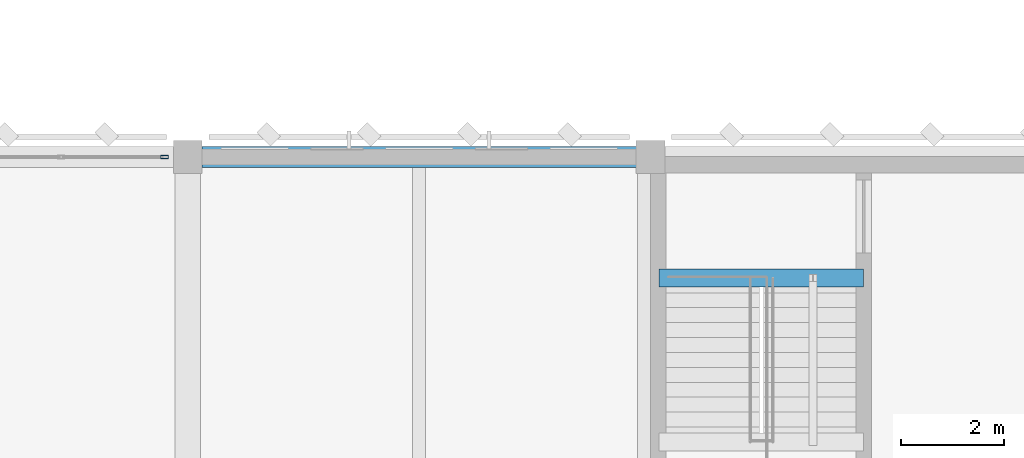
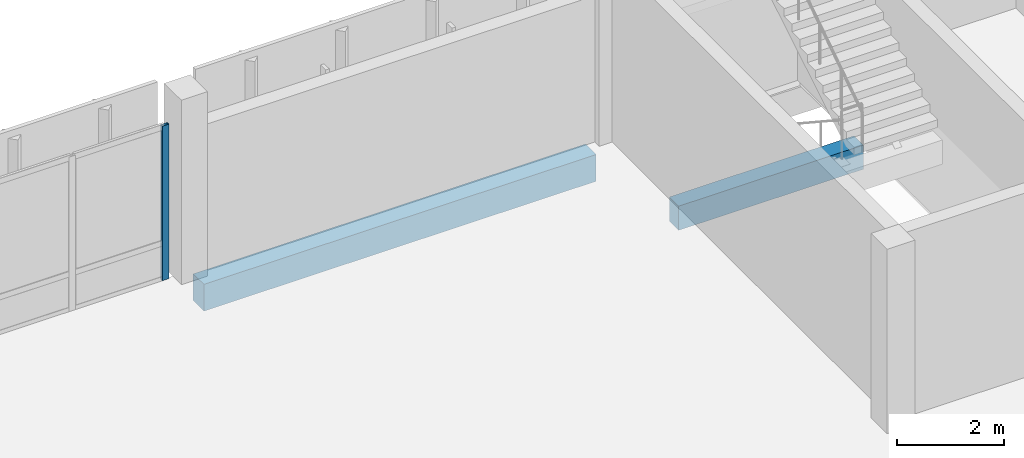
# One storey, part 69 of 158: 2 beams, 1 member, 1 element without a shape of its own.
"""IFC4 building model written with IfcOpenShell, lengths in metres."""

import ifcopenshell
import ifcopenshell.guid

model = None  # the IFC model being written
_history = None  # IfcOwnerHistory: only IFC2X3 demands one
_inside = {}  # id of a spatial element -> (the spatial element, [elements in it])
_under = {}  # id of a project, library or spatial element -> (it, [spatial elements below it])
_declared = {}  # id of a project -> (the project, [libraries it declares])
_typed = {}  # id of a type object -> (the type object, [elements of that type])
_made_of = {}  # id of a material, layer set ... -> (it, [elements and type objects made of it])


def new_model(schema):
    """Start an empty IFC model of exactly this schema.

    Asked for "IFC4X3", IfcOpenShell would pick the latest addendum, in which some entities
    have other attributes; the version numbers below select the first issue.
    IFC2X3 requires an IfcOwnerHistory on every rooted entity: one is made here for all.
    """
    global model, _history
    if schema == "IFC4X3":
        model = ifcopenshell.file(schema_version=(4, 3, 0, 0))
    else:
        model = ifcopenshell.file(schema=schema)
    _inside.clear()
    _under.clear()
    _declared.clear()
    _typed.clear()
    _made_of.clear()
    _history = None
    if model.schema == "IFC2X3":
        org = make("IfcOrganization", Name="unknown")
        user = make(
            "IfcPersonAndOrganization",
            ThePerson=make("IfcPerson", FamilyName="unknown"),
            TheOrganization=org,
        )
        app = make(
            "IfcApplication",
            ApplicationDeveloper=org,
            Version="unknown",
            ApplicationFullName="unknown",
            ApplicationIdentifier="unknown",
        )
        _history = make(
            "IfcOwnerHistory",
            OwningUser=user,
            OwningApplication=app,
            ChangeAction="ADDED",
            CreationDate=0,
        )
    return model


def make(cls, **values):
    """One entity of the class cls with the attributes given. An attribute that is None is left unset."""
    return model.create_entity(
        cls, **{name: value for name, value in values.items() if value is not None}
    )


def rooted(cls, **values):
    """An entity with a GlobalId (a new one), such as an element, a storey or a relation."""
    return make(cls, GlobalId=ifcopenshell.guid.new(), OwnerHistory=_history, **values)


def si_unit(unit_type, name, prefix=None):
    """IfcSIUnit, for example si_unit("LENGTHUNIT", "METRE", prefix="MILLI")."""
    return make("IfcSIUnit", UnitType=unit_type, Prefix=prefix, Name=name)


def assignment(units):
    """IfcUnitAssignment: the units of a project."""
    return None if units is None else make("IfcUnitAssignment", Units=units)


def point(xyz):
    """IfcCartesianPoint."""
    return None if xyz is None else make("IfcCartesianPoint", Coordinates=xyz)


def direction(xyz):
    """IfcDirection."""
    return None if xyz is None else make("IfcDirection", DirectionRatios=xyz)


def frame(location, z_axis=None, x_axis=None):
    """IfcAxis2Placement3D, a coordinate frame: its origin and axes. An axis left out is left unset."""
    return make(
        "IfcAxis2Placement3D",
        Location=point(location),
        Axis=direction(z_axis),
        RefDirection=direction(x_axis),
    )


def frame_2d(location, x_axis=None):
    """IfcAxis2Placement2D, a coordinate frame in the plane: its origin and x axis."""
    return make(
        "IfcAxis2Placement2D", Location=point(location), RefDirection=direction(x_axis)
    )


def origin():
    """The frame at (0, 0, 0) with its axes left unset."""
    return frame((0.0, 0.0, 0.0))


def origin_2d():
    """The frame at (0, 0) in the plane with its x axis left unset."""
    return frame_2d((0.0, 0.0))


def place(relative_to, where):
    """IfcLocalPlacement: puts the frame where relative to a parent placement (None: the world)."""
    return make(
        "IfcLocalPlacement", PlacementRelTo=relative_to, RelativePlacement=where
    )


def context(
    kind, dimensions, precision=None, world=None, true_north=None, identifier=None
):
    """IfcGeometricRepresentationContext, for example the 3D "Model" context."""
    return make(
        "IfcGeometricRepresentationContext",
        ContextIdentifier=identifier,
        ContextType=kind,
        CoordinateSpaceDimension=dimensions,
        Precision=precision,
        WorldCoordinateSystem=world,
        TrueNorth=true_north,
    )


def subcontext(parent, identifier, kind, view, scale=None):
    """IfcGeometricRepresentationSubContext, for example "Body" below "Model"."""
    return make(
        "IfcGeometricRepresentationSubContext",
        ContextIdentifier=identifier,
        ContextType=kind,
        ParentContext=parent,
        TargetScale=scale,
        TargetView=view,
    )


def project(units=None, contexts=None):
    """IfcProject with its units and contexts."""
    return rooted(
        "IfcProject",
        Name="project",
        RepresentationContexts=contexts,
        UnitsInContext=assignment(units),
    )


def spatial(cls, under=None, at=None, **own):
    """A site, building, storey or space (cls), placed at a placement, below another one or the project."""
    s = rooted(cls, ObjectPlacement=at, **own)
    if under is not None:
        _under.setdefault(under.id(), (under, []))[1].append(s)
    return s


def profile(cls, at=None, kind="AREA", **sizes):
    """A parametric profile (cls). Its sizes go by their IFC names, for example OverallWidth=200.0."""
    return make(cls, ProfileType=kind, Position=at, **sizes)


def rectangle(**sizes):
    """IfcRectangleProfileDef."""
    return profile("IfcRectangleProfileDef", **sizes)


def hollow_rectangle(**sizes):
    """IfcRectangleHollowProfileDef."""
    return profile("IfcRectangleHollowProfileDef", **sizes)


def extrude(swept, where, along, depth):
    """IfcExtrudedAreaSolid: the profile swept, set in the frame where, extruded along a direction by depth."""
    return make(
        "IfcExtrudedAreaSolid",
        SweptArea=swept,
        Position=where,
        ExtrudedDirection=direction(along),
        Depth=depth,
    )


def shape(context_of_items, identifier, shape_type, items):
    """IfcShapeRepresentation: the items that make up one representation, for example the "Body"."""
    return make(
        "IfcShapeRepresentation",
        ContextOfItems=context_of_items,
        RepresentationIdentifier=identifier,
        RepresentationType=shape_type,
        Items=items,
    )


def material(Name=None, Category=None):
    """IfcMaterial."""
    return make("IfcMaterial", Name=Name, Category=Category)


def material_profile(
    of_material, cross_section, Name=None, Category=None, Priority=None
):
    """IfcMaterialProfile: a cross section and its material."""
    return make(
        "IfcMaterialProfile",
        Name=Name,
        Material=of_material,
        Profile=cross_section,
        Priority=Priority,
        Category=Category,
    )


def profile_set(profiles, Name=None, composite=None):
    """IfcMaterialProfileSet."""
    return make(
        "IfcMaterialProfileSet",
        Name=Name,
        MaterialProfiles=profiles,
        CompositeProfile=composite,
    )


def made_of(thing, what):
    """Note that an element or type object is made of a material, layer set ...; save() writes the relation."""
    if what is not None:
        _made_of.setdefault(what.id(), (what, []))[1].append(thing)
    return thing


def type_object(cls, material=None, **own):
    """A type object (cls), such as IfcWallType, which elements share."""
    return made_of(rooted(cls, **own), material)


def element(
    cls,
    number,
    at=None,
    inside=None,
    cuts=None,
    type_object=None,
    material=None,
    context=None,
    identifier="Body",
    shape_type=None,
    held_by="IfcProductDefinitionShape",
    body=None,
    shapes=None,
    **own,
):
    """One element of the class cls, such as IfcWall. Its Tag is "e" and its number.

    at: its placement. inside: the storey or other place that contains it. cuts: it is an
    opening in that element (IfcRelVoidsElement). A single representation is given by context,
    identifier, shape_type and body (its items); several are given by shapes. held_by: the class
    of the entity that holds the representations. save() writes the other relations.
    """
    e = rooted(cls, Tag="e%d" % number, ObjectPlacement=at, **own)
    if body is not None:
        shapes = [shape(context, identifier, shape_type, body)]
    if shapes is not None:
        e.Representation = make(held_by, Representations=shapes)
    if inside is not None:
        _inside.setdefault(inside.id(), (inside, []))[1].append(e)
    if cuts is not None:
        rooted(
            "IfcRelVoidsElement", RelatingBuildingElement=cuts, RelatedOpeningElement=e
        )
    if type_object is not None:
        _typed.setdefault(type_object.id(), (type_object, []))[1].append(e)
    return made_of(e, material)


def aggregate(whole, parts):
    """IfcRelAggregates: a whole, such as a stair, and the parts it consists of."""
    return rooted("IfcRelAggregates", RelatingObject=whole, RelatedObjects=parts)


def save(model, path):
    """Write the relations noted so far, then the file.

    IfcRelAggregates (storeys below a building ...), IfcRelContainedInSpatialStructure (elements
    in a storey), IfcRelDefinesByType, IfcRelAssociatesMaterial and IfcRelDeclares: one each for
    every whole, place, type object, material and project.
    """
    for whole, parts in _under.values():
        aggregate(whole, parts)
    for where, things in _inside.values():
        rooted(
            "IfcRelContainedInSpatialStructure",
            RelatedElements=things,
            RelatingStructure=where,
        )
    for kind, things in _typed.values():
        rooted("IfcRelDefinesByType", RelatedObjects=things, RelatingType=kind)
    for what, things in _made_of.values():
        rooted("IfcRelAssociatesMaterial", RelatedObjects=things, RelatingMaterial=what)
    for by, libraries in _declared.values():
        rooted("IfcRelDeclares", RelatingContext=by, RelatedDefinitions=libraries)
    model.write(path)


model = new_model("IFC4")

# Units and contexts
model_context = context("Model", 3, precision=1e-05, world=origin(), true_north=direction((0.0, 1.0)))
body_context = subcontext(model_context, "Body", "Model", "MODEL_VIEW")
ifc_project = project(units=[si_unit("LENGTHUNIT", "METRE"), si_unit("AREAUNIT", "SQUARE_METRE"), si_unit("VOLUMEUNIT", "CUBIC_METRE"), si_unit("PLANEANGLEUNIT", "RADIAN"), si_unit("MASSUNIT", "GRAM", prefix="KILO")], contexts=[model_context])

# Site, building, storey
site_placement = place(None, origin())
site = spatial("IfcSite", under=ifc_project, at=site_placement, CompositionType="ELEMENT")
building_placement = place(site_placement, origin())
building = spatial("IfcBuilding", under=site, at=building_placement, Name="Lusvemor Sports Hall", CompositionType="ELEMENT")
storey_placement = place(building_placement, frame((0.0, 0.0, 10.800048828125)))
storey = spatial("IfcBuildingStorey", under=building, at=storey_placement, Name="L02", CompositionType="ELEMENT", Elevation=10.800048828125)

# Beam
ifc_material_1 = material(Name="Concrete C40/50", Category="concrete")
ifc_material_profile_1 = material_profile(ifc_material_1, rectangle(XDim=0.35009765625, YDim=0.550048828125, at=origin_2d()), Name="RC350x550")
ifc_profile_set_1 = profile_set([ifc_material_profile_1], Name="Concrete C40/50")
beam_type_1 = type_object("IfcBeamType", Name="BEAM_RC_550", PredefinedType="BEAM", material=ifc_profile_set_1)
beam_1_placement = place(storey_placement, frame((102.760009765625, 112.85009765625, -0.455078125), z_axis=(1.0, 0.0, 0.0), x_axis=(0.0, 1.0, 0.0)))
element("IfcBeam", 1, at=beam_1_placement, inside=storey, type_object=beam_type_1, Name="Stair STR-C4-L01 Top-Landing Beam", PredefinedType="BEAM", context=body_context, shape_type="SweptSolid", body=[
    extrude(rectangle(XDim=0.35009765625, YDim=0.550048828125, at=origin_2d()), origin(), (0.0, 0.0, 1.0), 3.97998046875),
])

# Curtain wall, member
ifc_material_2 = material(Name="Thermally broken bronze-anodized aluminium", Category="aluminium")
curtain_wall_type = type_object("IfcCurtainWallType", Name="CW_WING_B", PredefinedType="NOTDEFINED", material=ifc_material_2)
curtain_wall_placement = place(storey_placement, origin())
curtain_wall = element("IfcCurtainWall", 2, at=curtain_wall_placement, inside=storey, type_object=curtain_wall_type, Name="Curtain Wall CW-L02-N-1-8", PredefinedType="NOTDEFINED")
ifc_material_3 = material(Name="Thermally broken bronze-anodized aluminium", Category="aluminium")
ifc_material_profile_2 = material_profile(ifc_material_3, hollow_rectangle(XDim=0.06494140625, YDim=0.14990234375, WallThickness=0.00390625, InnerFilletRadius=0.00390625, OuterFilletRadius=0.008056640625, at=origin_2d()), Name="CWMUL150x65x4")
ifc_profile_set_2 = profile_set([ifc_material_profile_2], Name="Thermally broken bronze-anodized aluminium")
member_type = type_object("IfcMemberType", Name="CW_MUL_B", PredefinedType="MULLION", material=ifc_profile_set_2)
member_placement = place(storey_placement, frame((93.1474609375, 115.199951171875, 0.0), z_axis=(0.0, 0.0, 1.0), x_axis=(0.0, 1.0, 0.0)))
member = element("IfcMember", 3, at=member_placement, type_object=member_type, Name="CW02 mullion 5", PredefinedType="MULLION", context=body_context, shape_type="SweptSolid", body=[
    extrude(hollow_rectangle(XDim=0.06494140625, YDim=0.14990234375, WallThickness=0.00390625, InnerFilletRadius=0.00390625, OuterFilletRadius=0.008056640625, at=origin_2d()), origin(), (0.0, 0.0, 1.0), 3.52001953125),
])
aggregate(curtain_wall, [member])

# Beam
ifc_material_4 = material(Name="Concrete C40/50", Category="concrete")
ifc_material_profile_3 = material_profile(ifc_material_4, rectangle(XDim=0.39990234375, YDim=0.610107421875, at=origin_2d()), Name="RC400x610")
ifc_profile_set_3 = profile_set([ifc_material_profile_3], Name="Concrete C40/50")
beam_type_2 = type_object("IfcBeamType", Name="SPAND_EXT_650", PredefinedType="SPANDREL", material=ifc_profile_set_3)
beam_2_placement = place(storey_placement, frame((93.8759765625, 115.199951171875, -0.56494140625), z_axis=(1.0, 0.0, 0.0), x_axis=(0.0, 1.0, 0.0)))
element("IfcBeam", 4, at=beam_2_placement, inside=storey, type_object=beam_type_2, Name="Beam L02 Q:10-11", PredefinedType="SPANDREL", context=body_context, shape_type="SweptSolid", body=[
    extrude(rectangle(XDim=0.39990234375, YDim=0.610107421875, at=origin_2d()), origin(), (0.0, 0.0, 1.0), 8.447998046875),
])

save(model, "model.ifc")
